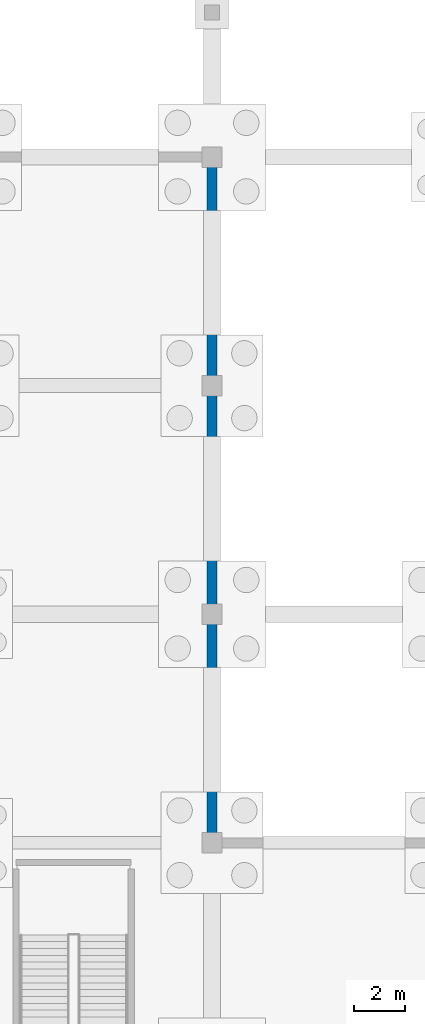
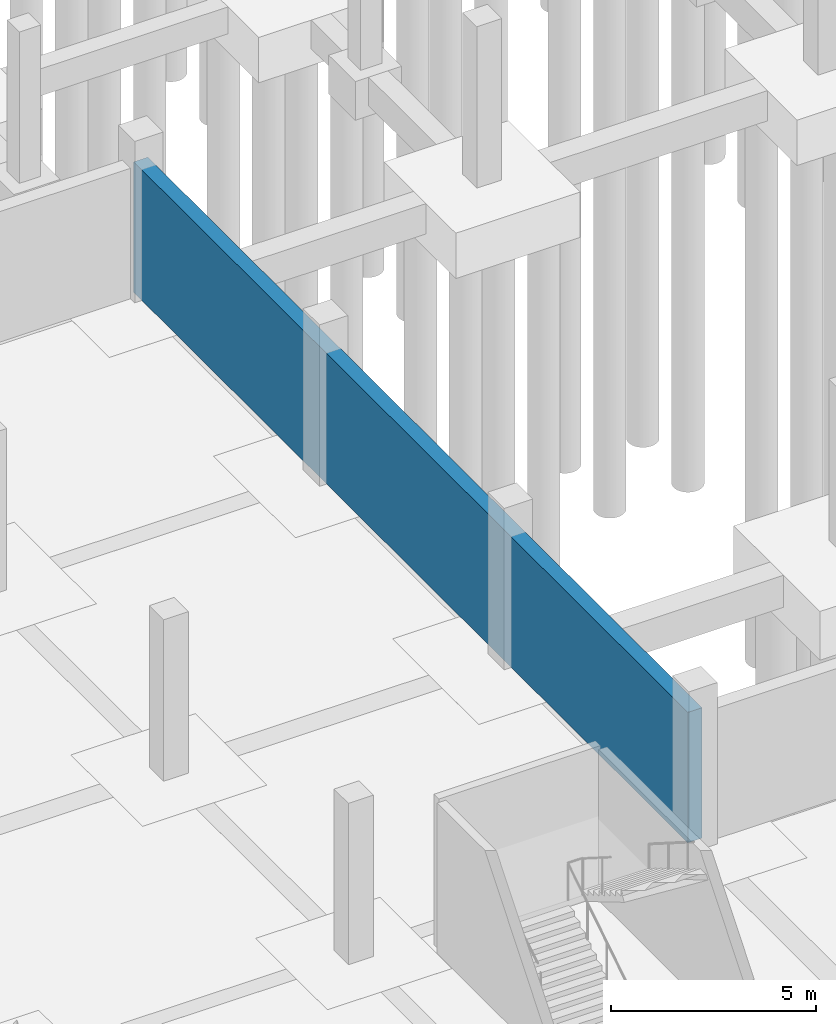
# One storey, part 28 of 39: 1 wall.
"""IFC4 building model written with IfcOpenShell, lengths in metres."""

import ifcopenshell
import ifcopenshell.guid

model = None  # the IFC model being written
_history = None  # IfcOwnerHistory: only IFC2X3 demands one
_inside = {}  # id of a spatial element -> (the spatial element, [elements in it])
_under = {}  # id of a project, library or spatial element -> (it, [spatial elements below it])
_declared = {}  # id of a project -> (the project, [libraries it declares])
_typed = {}  # id of a type object -> (the type object, [elements of that type])
_made_of = {}  # id of a material, layer set ... -> (it, [elements and type objects made of it])


def new_model(schema):
    """Start an empty IFC model of exactly this schema.

    Asked for "IFC4X3", IfcOpenShell would pick the latest addendum, in which some entities
    have other attributes; the version numbers below select the first issue.
    IFC2X3 requires an IfcOwnerHistory on every rooted entity: one is made here for all.
    """
    global model, _history
    if schema == "IFC4X3":
        model = ifcopenshell.file(schema_version=(4, 3, 0, 0))
    else:
        model = ifcopenshell.file(schema=schema)
    _inside.clear()
    _under.clear()
    _declared.clear()
    _typed.clear()
    _made_of.clear()
    _history = None
    if model.schema == "IFC2X3":
        org = make("IfcOrganization", Name="unknown")
        user = make(
            "IfcPersonAndOrganization",
            ThePerson=make("IfcPerson", FamilyName="unknown"),
            TheOrganization=org,
        )
        app = make(
            "IfcApplication",
            ApplicationDeveloper=org,
            Version="unknown",
            ApplicationFullName="unknown",
            ApplicationIdentifier="unknown",
        )
        _history = make(
            "IfcOwnerHistory",
            OwningUser=user,
            OwningApplication=app,
            ChangeAction="ADDED",
            CreationDate=0,
        )
    return model


def make(cls, **values):
    """One entity of the class cls with the attributes given. An attribute that is None is left unset."""
    return model.create_entity(
        cls, **{name: value for name, value in values.items() if value is not None}
    )


def rooted(cls, **values):
    """An entity with a GlobalId (a new one), such as an element, a storey or a relation."""
    return make(cls, GlobalId=ifcopenshell.guid.new(), OwnerHistory=_history, **values)


def si_unit(unit_type, name, prefix=None):
    """IfcSIUnit, for example si_unit("LENGTHUNIT", "METRE", prefix="MILLI")."""
    return make("IfcSIUnit", UnitType=unit_type, Prefix=prefix, Name=name)


def assignment(units):
    """IfcUnitAssignment: the units of a project."""
    return None if units is None else make("IfcUnitAssignment", Units=units)


def point(xyz):
    """IfcCartesianPoint."""
    return None if xyz is None else make("IfcCartesianPoint", Coordinates=xyz)


def direction(xyz):
    """IfcDirection."""
    return None if xyz is None else make("IfcDirection", DirectionRatios=xyz)


def frame(location, z_axis=None, x_axis=None):
    """IfcAxis2Placement3D, a coordinate frame: its origin and axes. An axis left out is left unset."""
    return make(
        "IfcAxis2Placement3D",
        Location=point(location),
        Axis=direction(z_axis),
        RefDirection=direction(x_axis),
    )


def frame_2d(location, x_axis=None):
    """IfcAxis2Placement2D, a coordinate frame in the plane: its origin and x axis."""
    return make(
        "IfcAxis2Placement2D", Location=point(location), RefDirection=direction(x_axis)
    )


def origin():
    """The frame at (0, 0, 0) with its axes left unset."""
    return frame((0.0, 0.0, 0.0))


def place(relative_to, where):
    """IfcLocalPlacement: puts the frame where relative to a parent placement (None: the world)."""
    return make(
        "IfcLocalPlacement", PlacementRelTo=relative_to, RelativePlacement=where
    )


def context(
    kind, dimensions, precision=None, world=None, true_north=None, identifier=None
):
    """IfcGeometricRepresentationContext, for example the 3D "Model" context."""
    return make(
        "IfcGeometricRepresentationContext",
        ContextIdentifier=identifier,
        ContextType=kind,
        CoordinateSpaceDimension=dimensions,
        Precision=precision,
        WorldCoordinateSystem=world,
        TrueNorth=true_north,
    )


def subcontext(parent, identifier, kind, view, scale=None):
    """IfcGeometricRepresentationSubContext, for example "Body" below "Model"."""
    return make(
        "IfcGeometricRepresentationSubContext",
        ContextIdentifier=identifier,
        ContextType=kind,
        ParentContext=parent,
        TargetScale=scale,
        TargetView=view,
    )


def project(units=None, contexts=None):
    """IfcProject with its units and contexts."""
    return rooted(
        "IfcProject",
        Name="project",
        RepresentationContexts=contexts,
        UnitsInContext=assignment(units),
    )


def spatial(cls, under=None, at=None, **own):
    """A site, building, storey or space (cls), placed at a placement, below another one or the project."""
    s = rooted(cls, ObjectPlacement=at, **own)
    if under is not None:
        _under.setdefault(under.id(), (under, []))[1].append(s)
    return s


def profile(cls, at=None, kind="AREA", **sizes):
    """A parametric profile (cls). Its sizes go by their IFC names, for example OverallWidth=200.0."""
    return make(cls, ProfileType=kind, Position=at, **sizes)


def rectangle(**sizes):
    """IfcRectangleProfileDef."""
    return profile("IfcRectangleProfileDef", **sizes)


def extrude(swept, where, along, depth):
    """IfcExtrudedAreaSolid: the profile swept, set in the frame where, extruded along a direction by depth."""
    return make(
        "IfcExtrudedAreaSolid",
        SweptArea=swept,
        Position=where,
        ExtrudedDirection=direction(along),
        Depth=depth,
    )


def shape(context_of_items, identifier, shape_type, items):
    """IfcShapeRepresentation: the items that make up one representation, for example the "Body"."""
    return make(
        "IfcShapeRepresentation",
        ContextOfItems=context_of_items,
        RepresentationIdentifier=identifier,
        RepresentationType=shape_type,
        Items=items,
    )


def material(Name=None, Category=None):
    """IfcMaterial."""
    return make("IfcMaterial", Name=Name, Category=Category)


def layer(
    of_material, thickness, ventilated=None, Name=None, Category=None, Priority=None
):
    """IfcMaterialLayer: one layer of a wall or slab, of a material (None: an air gap)."""
    return make(
        "IfcMaterialLayer",
        Material=of_material,
        LayerThickness=thickness,
        IsVentilated=ventilated,
        Name=Name,
        Category=Category,
        Priority=Priority,
    )


def layer_set(layers, Name=None):
    """IfcMaterialLayerSet."""
    return make("IfcMaterialLayerSet", MaterialLayers=layers, LayerSetName=Name)


def made_of(thing, what):
    """Note that an element or type object is made of a material, layer set ...; save() writes the relation."""
    if what is not None:
        _made_of.setdefault(what.id(), (what, []))[1].append(thing)
    return thing


def type_object(cls, material=None, **own):
    """A type object (cls), such as IfcWallType, which elements share."""
    return made_of(rooted(cls, **own), material)


def element(
    cls,
    number,
    at=None,
    inside=None,
    cuts=None,
    type_object=None,
    material=None,
    context=None,
    identifier="Body",
    shape_type=None,
    held_by="IfcProductDefinitionShape",
    body=None,
    shapes=None,
    **own,
):
    """One element of the class cls, such as IfcWall. Its Tag is "e" and its number.

    at: its placement. inside: the storey or other place that contains it. cuts: it is an
    opening in that element (IfcRelVoidsElement). A single representation is given by context,
    identifier, shape_type and body (its items); several are given by shapes. held_by: the class
    of the entity that holds the representations. save() writes the other relations.
    """
    e = rooted(cls, Tag="e%d" % number, ObjectPlacement=at, **own)
    if body is not None:
        shapes = [shape(context, identifier, shape_type, body)]
    if shapes is not None:
        e.Representation = make(held_by, Representations=shapes)
    if inside is not None:
        _inside.setdefault(inside.id(), (inside, []))[1].append(e)
    if cuts is not None:
        rooted(
            "IfcRelVoidsElement", RelatingBuildingElement=cuts, RelatedOpeningElement=e
        )
    if type_object is not None:
        _typed.setdefault(type_object.id(), (type_object, []))[1].append(e)
    return made_of(e, material)


def aggregate(whole, parts):
    """IfcRelAggregates: a whole, such as a stair, and the parts it consists of."""
    return rooted("IfcRelAggregates", RelatingObject=whole, RelatedObjects=parts)


def save(model, path):
    """Write the relations noted so far, then the file.

    IfcRelAggregates (storeys below a building ...), IfcRelContainedInSpatialStructure (elements
    in a storey), IfcRelDefinesByType, IfcRelAssociatesMaterial and IfcRelDeclares: one each for
    every whole, place, type object, material and project.
    """
    for whole, parts in _under.values():
        aggregate(whole, parts)
    for where, things in _inside.values():
        rooted(
            "IfcRelContainedInSpatialStructure",
            RelatedElements=things,
            RelatingStructure=where,
        )
    for kind, things in _typed.values():
        rooted("IfcRelDefinesByType", RelatedObjects=things, RelatingType=kind)
    for what, things in _made_of.values():
        rooted("IfcRelAssociatesMaterial", RelatedObjects=things, RelatingMaterial=what)
    for by, libraries in _declared.values():
        rooted("IfcRelDeclares", RelatingContext=by, RelatedDefinitions=libraries)
    model.write(path)


model = new_model("IFC4")

# Units and contexts
model_context = context("Model", 3, precision=1e-05, world=origin(), true_north=direction((0.0, 1.0)))
body_context = subcontext(model_context, "Body", "Model", "MODEL_VIEW")
ifc_project = project(units=[si_unit("LENGTHUNIT", "METRE"), si_unit("AREAUNIT", "SQUARE_METRE"), si_unit("VOLUMEUNIT", "CUBIC_METRE"), si_unit("PLANEANGLEUNIT", "RADIAN"), si_unit("MASSUNIT", "GRAM", prefix="KILO")], contexts=[model_context])

# Site, building, storey
site_placement = place(None, origin())
site = spatial("IfcSite", under=ifc_project, at=site_placement, CompositionType="ELEMENT")
building_placement = place(site_placement, origin())
building = spatial("IfcBuilding", under=site, at=building_placement, Name="Zarnetskaya Central Station", CompositionType="ELEMENT")
storey_placement = place(building_placement, frame((0.0, 0.0, -4.800048828125)))
storey = spatial("IfcBuildingStorey", under=building, at=storey_placement, Name="B1", CompositionType="ELEMENT", Elevation=-4.800048828125)

# Wall
ifc_material = material(Name="Concrete C35/45", Category="concrete")
ifc_layer = layer(ifc_material, 0.39990234375, Name="Concrete C35/45", Category="concrete")
ifc_layer_set = layer_set([ifc_layer], Name="Concrete C35/45")
wall_type = type_object("IfcWallType", Name="WALL-RET-400", PredefinedType="USERDEFINED", material=ifc_layer_set)
wall_placement = place(storey_placement, frame((124.800048828125, 67.199951171875, 0.0), z_axis=(0.0, 0.0, 1.0), x_axis=(0.0, -1.0, 0.0)))
element("IfcWall", 1, at=wall_placement, inside=storey, type_object=wall_type, Name="Basement perimeter retaining wall 07", ObjectType="RETAININGWALL", PredefinedType="USERDEFINED", context=body_context, shape_type="SweptSolid", body=[
    extrude(rectangle(XDim=27.0, YDim=0.39990234375, at=frame_2d((13.5, 0.0))), origin(), (0.0, 0.0, 1.0), 3.880126953125),
])

save(model, "model.ifc")
